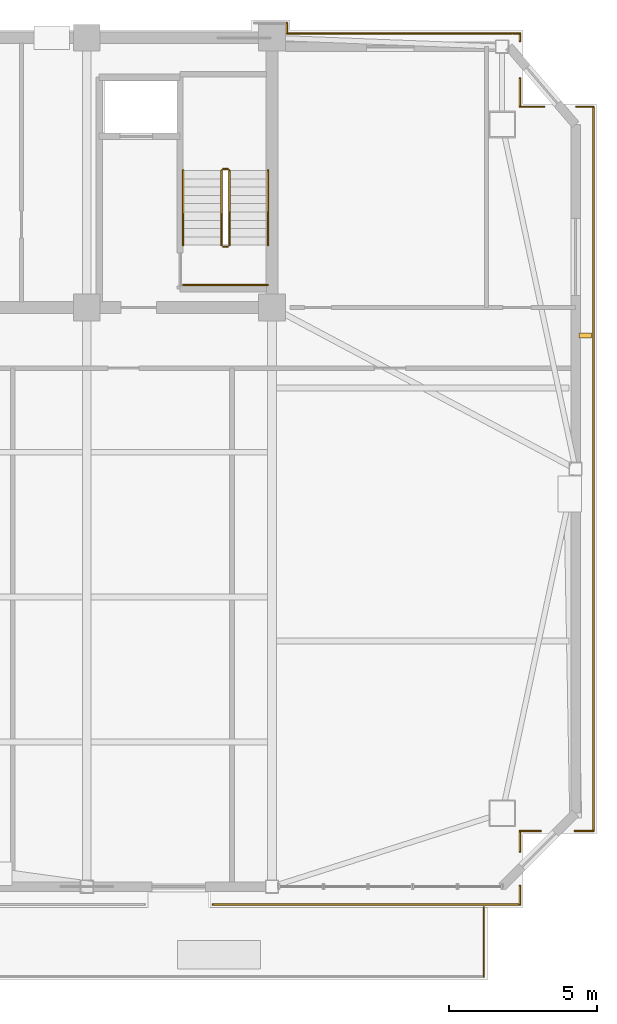
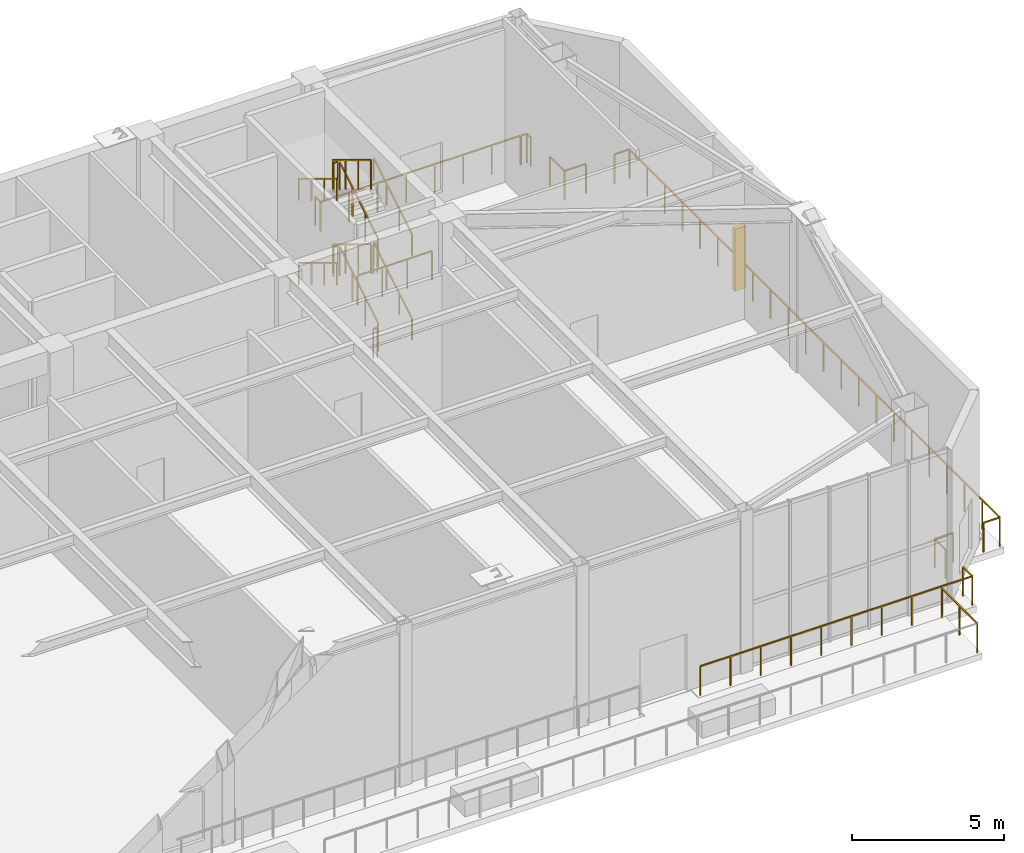
# One storey, part 14 of 15: 27 railings, 1 shading device.
"""IFC4 building model written with IfcOpenShell, lengths in metres."""

from ifc_helpers import new_model, si_unit, direction, frame, origin, origin_2d, place, context, subcontext, project, spatial, rectangle, extrude, source, transform, mapped, material, type_object, element, save


model = new_model("IFC4")

# Units and contexts
model_context = context("Model", 3, precision=1e-05, world=origin(), true_north=direction((0.0, 1.0)))
body_context = subcontext(model_context, "Body", "Model", "MODEL_VIEW")
ifc_project = project(units=[si_unit("LENGTHUNIT", "METRE"), si_unit("AREAUNIT", "SQUARE_METRE"), si_unit("VOLUMEUNIT", "CUBIC_METRE"), si_unit("PLANEANGLEUNIT", "RADIAN"), si_unit("MASSUNIT", "GRAM", prefix="KILO")], contexts=[model_context])

# Site, building, storey
site_placement = place(None, origin())
site = spatial("IfcSite", under=ifc_project, at=site_placement, CompositionType="ELEMENT")
building_placement = place(site_placement, origin())
building = spatial("IfcBuilding", under=site, at=building_placement, Name="Giltprow Tower", CompositionType="ELEMENT")
storey_placement = place(building_placement, frame((0.0, 0.0, 279.10009765625)))
storey = spatial("IfcBuildingStorey", under=building, at=storey_placement, Name="L72", CompositionType="ELEMENT", Elevation=279.10009765625)

# Railings
ifc_material = material(Name="Anodized bronze", Category="metal")
railing_type_1 = type_object("IfcRailingType", Name="RAIL-BALC-GUARD-1200", PredefinedType="BALUSTRADE", material=ifc_material)
railing_1_placement = place(storey_placement, frame((61.39111328125, 44.221923828125, 0.0)))
element("IfcRailing", 1, at=railing_1_placement, inside=storey, type_object=railing_type_1, Name="L72 Corner Apron Edge Balustrade 1", PredefinedType="BALUSTRADE", context=body_context, shape_type="SweptSolid", body=[
    extrude(rectangle(XDim=0.048095703125, YDim=0.048095703125, at=origin_2d()), frame((0.0, 0.0, 1.17578125), z_axis=(0.0, -1.0, 0.0), x_axis=(1.0, 0.0, 0.0)), (0.0, 0.0, 1.0), 24.43701171875),
    extrude(rectangle(XDim=0.0419921875, YDim=0.0419921875, at=origin_2d()), origin(), (0.0, 0.0, 1.0), 1.15185546875),
    extrude(rectangle(XDim=0.0419921875, YDim=0.0419921875, at=origin_2d()), frame((0.0, -1.16357421875, 0.0)), (0.0, 0.0, 1.0), 1.15185546875),
    extrude(rectangle(XDim=0.0419921875, YDim=0.0419921875, at=origin_2d()), frame((0.0, -2.327392578125, 0.0)), (0.0, 0.0, 1.0), 1.15185546875),
    extrude(rectangle(XDim=0.0419921875, YDim=0.0419921875, at=origin_2d()), frame((0.0, -3.490966796875, 0.0)), (0.0, 0.0, 1.0), 1.15185546875),
    extrude(rectangle(XDim=0.0419921875, YDim=0.0419921875, at=origin_2d()), frame((0.0, -4.65478515625, 0.0)), (0.0, 0.0, 1.0), 1.15185546875),
    extrude(rectangle(XDim=0.0419921875, YDim=0.0419921875, at=origin_2d()), frame((0.0, -5.818359375, 0.0)), (0.0, 0.0, 1.0), 1.15185546875),
    extrude(rectangle(XDim=0.0419921875, YDim=0.0419921875, at=origin_2d()), frame((0.0, -6.98193359375, 0.0)), (0.0, 0.0, 1.0), 1.15185546875),
    extrude(rectangle(XDim=0.0419921875, YDim=0.0419921875, at=origin_2d()), frame((0.0, -8.145751953125, 0.0)), (0.0, 0.0, 1.0), 1.15185546875),
    extrude(rectangle(XDim=0.0419921875, YDim=0.0419921875, at=origin_2d()), frame((0.0, -9.309326171875, 0.0)), (0.0, 0.0, 1.0), 1.15185546875),
    extrude(rectangle(XDim=0.0419921875, YDim=0.0419921875, at=origin_2d()), frame((0.0, -10.472900390625, 0.0)), (0.0, 0.0, 1.0), 1.15185546875),
    extrude(rectangle(XDim=0.0419921875, YDim=0.0419921875, at=origin_2d()), frame((0.0, -11.63671875, 0.0)), (0.0, 0.0, 1.0), 1.15185546875),
    extrude(rectangle(XDim=0.0419921875, YDim=0.0419921875, at=origin_2d()), frame((0.0, -12.80029296875, 0.0)), (0.0, 0.0, 1.0), 1.15185546875),
    extrude(rectangle(XDim=0.0419921875, YDim=0.0419921875, at=origin_2d()), frame((0.0, -13.964111328125, 0.0)), (0.0, 0.0, 1.0), 1.15185546875),
    extrude(rectangle(XDim=0.0419921875, YDim=0.0419921875, at=origin_2d()), frame((0.0, -15.127685546875, 0.0)), (0.0, 0.0, 1.0), 1.15185546875),
    extrude(rectangle(XDim=0.0419921875, YDim=0.0419921875, at=origin_2d()), frame((0.0, -16.291259765625, 0.0)), (0.0, 0.0, 1.0), 1.15185546875),
    extrude(rectangle(XDim=0.0419921875, YDim=0.0419921875, at=origin_2d()), frame((0.0, -17.455078125, 0.0)), (0.0, 0.0, 1.0), 1.15185546875),
    extrude(rectangle(XDim=0.0419921875, YDim=0.0419921875, at=origin_2d()), frame((0.0, -18.61865234375, 0.0)), (0.0, 0.0, 1.0), 1.15185546875),
    extrude(rectangle(XDim=0.0419921875, YDim=0.0419921875, at=origin_2d()), frame((0.0, -19.7822265625, 0.0)), (0.0, 0.0, 1.0), 1.15185546875),
    extrude(rectangle(XDim=0.0419921875, YDim=0.0419921875, at=origin_2d()), frame((0.0, -20.946044921875, 0.0)), (0.0, 0.0, 1.0), 1.15185546875),
    extrude(rectangle(XDim=0.0419921875, YDim=0.0419921875, at=origin_2d()), frame((0.0, -22.109619140625, 0.0)), (0.0, 0.0, 1.0), 1.15185546875),
    extrude(rectangle(XDim=0.0419921875, YDim=0.0419921875, at=origin_2d()), frame((0.0, -23.2734375, 0.0)), (0.0, 0.0, 1.0), 1.15185546875),
    extrude(rectangle(XDim=0.0419921875, YDim=0.0419921875, at=origin_2d()), frame((0.0, -24.43701171875, 0.0)), (0.0, 0.0, 1.0), 1.15185546875),
])
railing_2_placement = place(storey_placement, frame((61.39111328125, 19.784912109375, 0.0)))
element("IfcRailing", 2, at=railing_2_placement, inside=storey, type_object=railing_type_1, Name="L72 Corner Apron Edge Balustrade 2", PredefinedType="BALUSTRADE", context=body_context, shape_type="SweptSolid", body=[
    extrude(rectangle(XDim=0.048095703125, YDim=0.048095703125, at=origin_2d()), frame((0.0, 0.0, 1.17578125), z_axis=(-1.0, 0.0, 0.0), x_axis=(0.0, -1.0, 0.0)), (0.0, 0.0, 1.0), 0.6201171875),
    extrude(rectangle(XDim=0.0419921875, YDim=0.0419921875, at=origin_2d()), origin(), (0.0, 0.0, 1.0), 1.15185546875),
    extrude(rectangle(XDim=0.0419921875, YDim=0.0419921875, at=origin_2d()), frame((-0.6201171875, 0.0, 0.0)), (0.0, 0.0, 1.0), 1.15185546875),
])
railing_3_placement = place(storey_placement, frame((59.611083984375, 19.784912109375, 0.0)))
element("IfcRailing", 3, at=railing_3_placement, inside=storey, type_object=railing_type_1, Name="L72 Corner Apron Edge Balustrade 3", PredefinedType="BALUSTRADE", context=body_context, shape_type="SweptSolid", body=[
    extrude(rectangle(XDim=0.048095703125, YDim=0.048095703125, at=origin_2d()), frame((0.0, 0.0, 1.17578125), z_axis=(-1.0, 0.0, 0.0), x_axis=(0.0, -1.0, 0.0)), (0.0, 0.0, 1.0), 0.697021484375),
    extrude(rectangle(XDim=0.0419921875, YDim=0.0419921875, at=origin_2d()), origin(), (0.0, 0.0, 1.0), 1.15185546875),
    extrude(rectangle(XDim=0.0419921875, YDim=0.0419921875, at=origin_2d()), frame((-0.697021484375, 0.0, 0.0)), (0.0, 0.0, 1.0), 1.15185546875),
])
railing_4_placement = place(storey_placement, frame((58.9140625, 19.784912109375, 0.0)))
element("IfcRailing", 4, at=railing_4_placement, inside=storey, type_object=railing_type_1, Name="L72 Corner Apron Edge Balustrade 4", PredefinedType="BALUSTRADE", context=body_context, shape_type="SweptSolid", body=[
    extrude(rectangle(XDim=0.048095703125, YDim=0.048095703125, at=origin_2d()), frame((0.0, 0.0, 1.17578125), z_axis=(0.0, -1.0, 0.0), x_axis=(1.0, 0.0, 0.0)), (0.0, 0.0, 1.0), 0.697021484375),
    extrude(rectangle(XDim=0.0419921875, YDim=0.0419921875, at=origin_2d()), origin(), (0.0, 0.0, 1.0), 1.15185546875),
    extrude(rectangle(XDim=0.0419921875, YDim=0.0419921875, at=origin_2d()), frame((0.0, -0.697021484375, 0.0)), (0.0, 0.0, 1.0), 1.15185546875),
])
railing_5_placement = place(storey_placement, frame((58.9140625, 17.927978515625, 0.0)))
element("IfcRailing", 5, at=railing_5_placement, inside=storey, type_object=railing_type_1, Name="L72 Corner Apron Edge Balustrade 5", PredefinedType="BALUSTRADE", context=body_context, shape_type="SweptSolid", body=[
    extrude(rectangle(XDim=0.048095703125, YDim=0.048095703125, at=origin_2d()), frame((0.0, 0.0, 1.17578125), z_axis=(0.0, -1.0, 0.0), x_axis=(1.0, 0.0, 0.0)), (0.0, 0.0, 1.0), 0.619873046875),
    extrude(rectangle(XDim=0.0419921875, YDim=0.0419921875, at=origin_2d()), origin(), (0.0, 0.0, 1.0), 1.15185546875),
    extrude(rectangle(XDim=0.0419921875, YDim=0.0419921875, at=origin_2d()), frame((0.0, -0.619873046875, 0.0)), (0.0, 0.0, 1.0), 1.15185546875),
])
railing_6_placement = place(storey_placement, frame((58.9140625, 17.30810546875, 0.0)))
element("IfcRailing", 6, at=railing_6_placement, inside=storey, type_object=railing_type_1, Name="L72 Corner Apron Edge Balustrade 6", PredefinedType="BALUSTRADE", context=body_context, shape_type="SweptSolid", body=[
    extrude(rectangle(XDim=0.048095703125, YDim=0.048095703125, at=origin_2d()), frame((0.0, 0.0, 1.17578125), z_axis=(-1.0, 0.0, 0.0), x_axis=(0.0, -1.0, 0.0)), (0.0, 0.0, 1.0), 10.364013671875),
    extrude(rectangle(XDim=0.0419921875, YDim=0.0419921875, at=origin_2d()), origin(), (0.0, 0.0, 1.0), 1.15185546875),
    extrude(rectangle(XDim=0.0419921875, YDim=0.0419921875, at=origin_2d()), frame((-1.151611328125, 0.0, 0.0)), (0.0, 0.0, 1.0), 1.15185546875),
    extrude(rectangle(XDim=0.0419921875, YDim=0.0419921875, at=origin_2d()), frame((-2.30322265625, 0.0, 0.0)), (0.0, 0.0, 1.0), 1.15185546875),
    extrude(rectangle(XDim=0.0419921875, YDim=0.0419921875, at=origin_2d()), frame((-3.45458984375, 0.0, 0.0)), (0.0, 0.0, 1.0), 1.15185546875),
    extrude(rectangle(XDim=0.0419921875, YDim=0.0419921875, at=origin_2d()), frame((-4.606201171875, 0.0, 0.0)), (0.0, 0.0, 1.0), 1.15185546875),
    extrude(rectangle(XDim=0.0419921875, YDim=0.0419921875, at=origin_2d()), frame((-5.7578125, 0.0, 0.0)), (0.0, 0.0, 1.0), 1.15185546875),
    extrude(rectangle(XDim=0.0419921875, YDim=0.0419921875, at=origin_2d()), frame((-6.909423828125, 0.0, 0.0)), (0.0, 0.0, 1.0), 1.15185546875),
    extrude(rectangle(XDim=0.0419921875, YDim=0.0419921875, at=origin_2d()), frame((-8.060791015625, 0.0, 0.0)), (0.0, 0.0, 1.0), 1.15185546875),
    extrude(rectangle(XDim=0.0419921875, YDim=0.0419921875, at=origin_2d()), frame((-9.21240234375, 0.0, 0.0)), (0.0, 0.0, 1.0), 1.15185546875),
    extrude(rectangle(XDim=0.0419921875, YDim=0.0419921875, at=origin_2d()), frame((-10.364013671875, 0.0, 0.0)), (0.0, 0.0, 1.0), 1.15185546875),
])
railing_7_placement = place(storey_placement, frame((51.050048828125, 47.050048828125, 0.0)))
element("IfcRailing", 7, at=railing_7_placement, inside=storey, type_object=railing_type_1, Name="L72 Corner Apron Edge Balustrade 23", PredefinedType="BALUSTRADE", context=body_context, shape_type="SweptSolid", body=[
    extrude(rectangle(XDim=0.048095703125, YDim=0.048095703125, at=origin_2d()), frame((0.0, 0.0, 1.17578125), z_axis=(0.0, -1.0, 0.0), x_axis=(1.0, 0.0, 0.0)), (0.0, 0.0, 1.0), 0.35107421875),
    extrude(rectangle(XDim=0.0419921875, YDim=0.0419921875, at=origin_2d()), origin(), (0.0, 0.0, 1.0), 1.15185546875),
    extrude(rectangle(XDim=0.0419921875, YDim=0.0419921875, at=origin_2d()), frame((0.0, -0.35107421875, 0.0)), (0.0, 0.0, 1.0), 1.15185546875),
])
railing_8_placement = place(storey_placement, frame((51.050048828125, 46.698974609375, 0.0)))
element("IfcRailing", 8, at=railing_8_placement, inside=storey, type_object=railing_type_1, Name="L72 Corner Apron Edge Balustrade 24", PredefinedType="BALUSTRADE", context=body_context, shape_type="SweptSolid", body=[
    extrude(rectangle(XDim=0.048095703125, YDim=0.048095703125, at=origin_2d()), frame((0.0, 0.0, 1.17578125), z_axis=(1.0, 0.0, 0.0), x_axis=(0.0, 1.0, 0.0)), (0.0, 0.0, 1.0), 7.613037109375),
    extrude(rectangle(XDim=0.0419921875, YDim=0.0419921875, at=origin_2d()), origin(), (0.0, 0.0, 1.0), 1.15185546875),
    extrude(rectangle(XDim=0.0419921875, YDim=0.0419921875, at=origin_2d()), frame((1.087646484375, 0.0, 0.0)), (0.0, 0.0, 1.0), 1.15185546875),
    extrude(rectangle(XDim=0.0419921875, YDim=0.0419921875, at=origin_2d()), frame((2.175048828125, 0.0, 0.0)), (0.0, 0.0, 1.0), 1.15185546875),
    extrude(rectangle(XDim=0.0419921875, YDim=0.0419921875, at=origin_2d()), frame((3.2626953125, 0.0, 0.0)), (0.0, 0.0, 1.0), 1.15185546875),
    extrude(rectangle(XDim=0.0419921875, YDim=0.0419921875, at=origin_2d()), frame((4.350341796875, 0.0, 0.0)), (0.0, 0.0, 1.0), 1.15185546875),
    extrude(rectangle(XDim=0.0419921875, YDim=0.0419921875, at=origin_2d()), frame((5.43798828125, 0.0, 0.0)), (0.0, 0.0, 1.0), 1.15185546875),
    extrude(rectangle(XDim=0.0419921875, YDim=0.0419921875, at=origin_2d()), frame((6.525390625, 0.0, 0.0)), (0.0, 0.0, 1.0), 1.15185546875),
    extrude(rectangle(XDim=0.0419921875, YDim=0.0419921875, at=origin_2d()), frame((7.613037109375, 0.0, 0.0)), (0.0, 0.0, 1.0), 1.15185546875),
])
railing_9_placement = place(storey_placement, frame((58.694091796875, 46.698974609375, 0.0)))
element("IfcRailing", 9, at=railing_9_placement, inside=storey, type_object=railing_type_1, Name="L72 Corner Apron Edge Balustrade 25", PredefinedType="BALUSTRADE", context=body_context, shape_type="SweptSolid", body=[
    extrude(rectangle(XDim=0.048095703125, YDim=0.048095703125, at=origin_2d()), frame((0.0, 0.0, 1.17578125), z_axis=(1.0, 0.0, 0.0), x_axis=(0.0, 1.0, 0.0)), (0.0, 0.0, 1.0), 0.219970703125),
    extrude(rectangle(XDim=0.0419921875, YDim=0.0419921875, at=origin_2d()), origin(), (0.0, 0.0, 1.0), 1.15185546875),
    extrude(rectangle(XDim=0.0419921875, YDim=0.0419921875, at=origin_2d()), frame((0.219970703125, 0.0, 0.0)), (0.0, 0.0, 1.0), 1.15185546875),
])
railing_10_placement = place(storey_placement, frame((58.9140625, 46.698974609375, 0.0)))
element("IfcRailing", 10, at=railing_10_placement, inside=storey, type_object=railing_type_1, Name="L72 Corner Apron Edge Balustrade 26", PredefinedType="BALUSTRADE", context=body_context, shape_type="SweptSolid", body=[
    extrude(rectangle(XDim=0.048095703125, YDim=0.048095703125, at=origin_2d()), frame((0.0, 0.0, 1.17578125), z_axis=(0.0, -1.0, 0.0), x_axis=(1.0, 0.0, 0.0)), (0.0, 0.0, 1.0), 0.257080078125),
    extrude(rectangle(XDim=0.0419921875, YDim=0.0419921875, at=origin_2d()), origin(), (0.0, 0.0, 1.0), 1.15185546875),
    extrude(rectangle(XDim=0.0419921875, YDim=0.0419921875, at=origin_2d()), frame((0.0, -0.257080078125, 0.0)), (0.0, 0.0, 1.0), 1.15185546875),
])
railing_11_placement = place(storey_placement, frame((58.9140625, 45.181884765625, 0.0)))
element("IfcRailing", 11, at=railing_11_placement, inside=storey, type_object=railing_type_1, Name="L72 Corner Apron Edge Balustrade 27", PredefinedType="BALUSTRADE", context=body_context, shape_type="SweptSolid", body=[
    extrude(rectangle(XDim=0.048095703125, YDim=0.048095703125, at=origin_2d()), frame((0.0, 0.0, 1.17578125), z_axis=(0.0, -1.0, 0.0), x_axis=(1.0, 0.0, 0.0)), (0.0, 0.0, 1.0), 0.9599609375),
    extrude(rectangle(XDim=0.0419921875, YDim=0.0419921875, at=origin_2d()), origin(), (0.0, 0.0, 1.0), 1.15185546875),
    extrude(rectangle(XDim=0.0419921875, YDim=0.0419921875, at=origin_2d()), frame((0.0, -0.9599609375, 0.0)), (0.0, 0.0, 1.0), 1.15185546875),
])
railing_12_placement = place(storey_placement, frame((58.9140625, 44.221923828125, 0.0)))
element("IfcRailing", 12, at=railing_12_placement, inside=storey, type_object=railing_type_1, Name="L72 Corner Apron Edge Balustrade 28", PredefinedType="BALUSTRADE", context=body_context, shape_type="SweptSolid", body=[
    extrude(rectangle(XDim=0.048095703125, YDim=0.048095703125, at=origin_2d()), frame((0.0, 0.0, 1.17578125), z_axis=(1.0, 0.0, 0.0), x_axis=(0.0, 1.0, 0.0)), (0.0, 0.0, 1.0), 0.822998046875),
    extrude(rectangle(XDim=0.0419921875, YDim=0.0419921875, at=origin_2d()), origin(), (0.0, 0.0, 1.0), 1.15185546875),
    extrude(rectangle(XDim=0.0419921875, YDim=0.0419921875, at=origin_2d()), frame((0.822998046875, 0.0, 0.0)), (0.0, 0.0, 1.0), 1.15185546875),
])
railing_13_placement = place(storey_placement, frame((60.81689453125, 44.221923828125, 0.0)))
element("IfcRailing", 13, at=railing_13_placement, inside=storey, type_object=railing_type_1, Name="L72 Corner Apron Edge Balustrade 29", PredefinedType="BALUSTRADE", context=body_context, shape_type="SweptSolid", body=[
    extrude(rectangle(XDim=0.048095703125, YDim=0.048095703125, at=origin_2d()), frame((0.0, 0.0, 1.17578125), z_axis=(1.0, 0.0, 0.0), x_axis=(0.0, 1.0, 0.0)), (0.0, 0.0, 1.0), 0.57421875),
    extrude(rectangle(XDim=0.0419921875, YDim=0.0419921875, at=origin_2d()), origin(), (0.0, 0.0, 1.0), 1.15185546875),
    extrude(rectangle(XDim=0.0419921875, YDim=0.0419921875, at=origin_2d()), frame((0.57421875, 0.0, 0.0)), (0.0, 0.0, 1.0), 1.15185546875),
])
railing_type_2 = type_object("IfcRailingType", Name="RAIL-STAIR-GUARD-1200", PredefinedType="GUARDRAIL", material=ifc_material)
railing_14_placement = place(storey_placement, frame((49.110107421875, 39.550048828125, 0.169921875)))
element("IfcRailing", 14, at=railing_14_placement, inside=storey, type_object=railing_type_2, Name="L72 ST-3 stair guard 1", PredefinedType="GUARDRAIL", context=body_context, shape_type="SweptSolid", body=[
    extrude(rectangle(XDim=0.048095703125, YDim=0.048095703125, at=origin_2d()), frame((0.0, 0.0, 1.17578125), z_axis=(0.0, 0.85478489116, 0.518982456201), x_axis=(-1.0, 0.0, 0.0)), (0.0, 0.0, 1.0), 2.9482421875),
    extrude(rectangle(XDim=0.0419921875, YDim=0.0419921875, at=origin_2d()), origin(), (0.0, 0.0, 1.0), 1.15185546875),
    extrude(rectangle(XDim=0.0419921875, YDim=0.0419921875, at=origin_2d()), frame((0.0, 0.840087890625, 0.510009765625)), (0.0, 0.0, 1.0), 1.15185546875),
    extrude(rectangle(XDim=0.0419921875, YDim=0.0419921875, at=origin_2d()), frame((0.0, 1.679931640625, 1.02001953125)), (0.0, 0.0, 1.0), 1.15185546875),
    extrude(rectangle(XDim=0.0419921875, YDim=0.0419921875, at=origin_2d()), frame((0.0, 2.52001953125, 1.530029296875)), (0.0, 0.0, 1.0), 1.15185546875),
])
railing_15_placement = place(storey_placement, frame((49.06005859375, 42.1201171875, 1.699951171875)))
element("IfcRailing", 15, at=railing_15_placement, inside=storey, type_object=railing_type_2, Name="L72 ST-3 stair guard 2", PredefinedType="GUARDRAIL", context=body_context, shape_type="SweptSolid", body=[
    extrude(rectangle(XDim=0.048095703125, YDim=0.048095703125, at=origin_2d()), frame((0.0, 0.0, 1.17578125), z_axis=(-1.0, 0.0, 0.0), x_axis=(0.0, -1.0, 0.0)), (0.0, 0.0, 1.0), 0.16015625),
    extrude(rectangle(XDim=0.0419921875, YDim=0.0419921875, at=origin_2d()), origin(), (0.0, 0.0, 1.0), 1.15185546875),
    extrude(rectangle(XDim=0.0419921875, YDim=0.0419921875, at=origin_2d()), frame((-0.16015625, 0.0, 0.0)), (0.0, 0.0, 1.0), 1.15185546875),
])
railing_16_placement = place(storey_placement, frame((48.85009765625, 42.070068359375, 1.869873046875)))
element("IfcRailing", 16, at=railing_16_placement, inside=storey, type_object=railing_type_2, Name="L72 ST-3 stair guard 3", PredefinedType="GUARDRAIL", context=body_context, shape_type="SweptSolid", body=[
    extrude(rectangle(XDim=0.048095703125, YDim=0.048095703125, at=origin_2d()), frame((0.0, 0.0, 1.17578125), z_axis=(0.0, -0.85478489116, 0.518982456201), x_axis=(1.0, 0.0, 0.0)), (0.0, 0.0, 1.0), 2.9482421875),
    extrude(rectangle(XDim=0.0419921875, YDim=0.0419921875, at=origin_2d()), origin(), (0.0, 0.0, 1.0), 1.15185546875),
    extrude(rectangle(XDim=0.0419921875, YDim=0.0419921875, at=origin_2d()), frame((0.0, -0.840087890625, 0.510009765625)), (0.0, 0.0, 1.0), 1.15185546875),
    extrude(rectangle(XDim=0.0419921875, YDim=0.0419921875, at=origin_2d()), frame((0.0, -1.679931640625, 1.02001953125)), (0.0, 0.0, 1.0), 1.15185546875),
    extrude(rectangle(XDim=0.0419921875, YDim=0.0419921875, at=origin_2d()), frame((0.0, -2.52001953125, 1.530029296875)), (0.0, 0.0, 1.0), 1.15185546875),
])
railing_17_placement = place(storey_placement, frame((49.06005859375, 39.5, 3.39990234375)))
element("IfcRailing", 17, at=railing_17_placement, inside=storey, type_object=railing_type_2, Name="L72 ST-3 stair guard 4", PredefinedType="GUARDRAIL", context=body_context, shape_type="SweptSolid", body=[
    extrude(rectangle(XDim=0.048095703125, YDim=0.048095703125, at=origin_2d()), frame((0.0, 0.0, 1.17578125), z_axis=(-1.0, 0.0, 0.0), x_axis=(0.0, -1.0, 0.0)), (0.0, 0.0, 1.0), 0.16015625),
    extrude(rectangle(XDim=0.0419921875, YDim=0.0419921875, at=origin_2d()), origin(), (0.0, 0.0, 1.0), 1.15185546875),
    extrude(rectangle(XDim=0.0419921875, YDim=0.0419921875, at=origin_2d()), frame((-0.16015625, 0.0, 0.0)), (0.0, 0.0, 1.0), 1.15185546875),
])
railing_18_placement = place(storey_placement, frame((49.110107421875, 39.550048828125, 3.56982421875)))
element("IfcRailing", 18, at=railing_18_placement, inside=storey, type_object=railing_type_2, Name="L72 ST-3 stair guard 5", PredefinedType="GUARDRAIL", context=body_context, shape_type="SweptSolid", body=[
    extrude(rectangle(XDim=0.048095703125, YDim=0.048095703125, at=origin_2d()), frame((0.0, 0.0, 1.17578125), z_axis=(0.0, 0.85478489116, 0.518982456201), x_axis=(-1.0, 0.0, 0.0)), (0.0, 0.0, 1.0), 2.9482421875),
    extrude(rectangle(XDim=0.0419921875, YDim=0.0419921875, at=origin_2d()), origin(), (0.0, 0.0, 1.0), 1.15185546875),
    extrude(rectangle(XDim=0.0419921875, YDim=0.0419921875, at=origin_2d()), frame((0.0, 0.840087890625, 0.510009765625)), (0.0, 0.0, 1.0), 1.15185546875),
    extrude(rectangle(XDim=0.0419921875, YDim=0.0419921875, at=origin_2d()), frame((0.0, 1.679931640625, 1.02001953125)), (0.0, 0.0, 1.0), 1.15185546875),
    extrude(rectangle(XDim=0.0419921875, YDim=0.0419921875, at=origin_2d()), frame((0.0, 2.52001953125, 1.530029296875)), (0.0, 0.0, 1.0), 1.15185546875),
])
railing_19_placement = place(storey_placement, frame((49.06005859375, 42.1201171875, 5.099853515625)))
element("IfcRailing", 19, at=railing_19_placement, inside=storey, type_object=railing_type_2, Name="L72 ST-3 stair guard 6", PredefinedType="GUARDRAIL", context=body_context, shape_type="SweptSolid", body=[
    extrude(rectangle(XDim=0.048095703125, YDim=0.048095703125, at=origin_2d()), frame((0.0, 0.0, 1.17578125), z_axis=(-1.0, 0.0, 0.0), x_axis=(0.0, -1.0, 0.0)), (0.0, 0.0, 1.0), 0.16015625),
    extrude(rectangle(XDim=0.0419921875, YDim=0.0419921875, at=origin_2d()), origin(), (0.0, 0.0, 1.0), 1.15185546875),
    extrude(rectangle(XDim=0.0419921875, YDim=0.0419921875, at=origin_2d()), frame((-0.16015625, 0.0, 0.0)), (0.0, 0.0, 1.0), 1.15185546875),
])
railing_20_placement = place(storey_placement, frame((48.85009765625, 42.070068359375, 5.27001953125)))
element("IfcRailing", 20, at=railing_20_placement, inside=storey, type_object=railing_type_2, Name="L72 ST-3 stair guard 7", PredefinedType="GUARDRAIL", context=body_context, shape_type="SweptSolid", body=[
    extrude(rectangle(XDim=0.048095703125, YDim=0.048095703125, at=origin_2d()), frame((0.0, 0.0, 1.17578125), z_axis=(0.0, -0.854821627497, 0.518921945155), x_axis=(1.0, 0.0, 0.0)), (0.0, 0.0, 1.0), 2.947998046875),
    extrude(rectangle(XDim=0.0419921875, YDim=0.0419921875, at=origin_2d()), origin(), (0.0, 0.0, 1.0), 1.15185546875),
    extrude(rectangle(XDim=0.0419921875, YDim=0.0419921875, at=origin_2d()), frame((0.0, -0.840087890625, 0.510009765625)), (0.0, 0.0, 1.0), 1.15185546875),
    extrude(rectangle(XDim=0.0419921875, YDim=0.0419921875, at=origin_2d()), frame((0.0, -1.679931640625, 1.019775390625)), (0.0, 0.0, 1.0), 1.15185546875),
    extrude(rectangle(XDim=0.0419921875, YDim=0.0419921875, at=origin_2d()), frame((0.0, -2.52001953125, 1.52978515625)), (0.0, 0.0, 1.0), 1.15185546875),
])
railing_21_placement = place(storey_placement, frame((49.06005859375, 39.5, 0.0)))
element("IfcRailing", 21, at=railing_21_placement, inside=storey, type_object=railing_type_2, Name="L72 ST-3 stair guard 8", PredefinedType="GUARDRAIL", context=body_context, shape_type="SweptSolid", body=[
    extrude(rectangle(XDim=0.048095703125, YDim=0.048095703125, at=origin_2d()), frame((0.0, 0.0, 1.17578125), z_axis=(-1.0, 0.0, 0.0), x_axis=(0.0, -1.0, 0.0)), (0.0, 0.0, 1.0), 0.16015625),
    extrude(rectangle(XDim=0.0419921875, YDim=0.0419921875, at=origin_2d()), origin(), (0.0, 0.0, 1.0), 1.15185546875),
    extrude(rectangle(XDim=0.0419921875, YDim=0.0419921875, at=origin_2d()), frame((-0.16015625, 0.0, 0.0)), (0.0, 0.0, 1.0), 1.15185546875),
])
railing_22_placement = place(storey_placement, frame((47.56005859375, 38.2099609375, 3.39990234375)))
element("IfcRailing", 22, at=railing_22_placement, inside=storey, type_object=railing_type_2, Name="L72 ST-3 Mid-Landing Guard 2", PredefinedType="GUARDRAIL", context=body_context, shape_type="SweptSolid", body=[
    extrude(rectangle(XDim=0.048095703125, YDim=0.048095703125, at=origin_2d()), frame((0.0, 0.0, 1.17578125), z_axis=(1.0, 0.0, 0.0), x_axis=(0.0, 1.0, 0.0)), (0.0, 0.0, 1.0), 2.83984375),
    extrude(rectangle(XDim=0.0419921875, YDim=0.0419921875, at=origin_2d()), origin(), (0.0, 0.0, 1.0), 1.15185546875),
    extrude(rectangle(XDim=0.0419921875, YDim=0.0419921875, at=origin_2d()), frame((0.946533203125, 0.0, 0.0)), (0.0, 0.0, 1.0), 1.15185546875),
    extrude(rectangle(XDim=0.0419921875, YDim=0.0419921875, at=origin_2d()), frame((1.893310546875, 0.0, 0.0)), (0.0, 0.0, 1.0), 1.15185546875),
    extrude(rectangle(XDim=0.0419921875, YDim=0.0419921875, at=origin_2d()), frame((2.83984375, 0.0, 0.0)), (0.0, 0.0, 1.0), 1.15185546875),
])
railing_type_3 = type_object("IfcRailingType", Name="RAIL-STAIR-HAND-900", PredefinedType="HANDRAIL", material=ifc_material)
railing_23_placement = place(storey_placement, frame((50.409912109375, 39.550048828125, 0.169921875)))
element("IfcRailing", 23, at=railing_23_placement, inside=storey, type_object=railing_type_3, Name="L72 ST-3 stair handrail 1", PredefinedType="HANDRAIL", context=body_context, shape_type="SweptSolid", body=[
    extrude(rectangle(XDim=0.048095703125, YDim=0.048095703125, at=origin_2d()), frame((0.0, 0.0, 0.8759765625), z_axis=(0.0, 0.85478489116, 0.518982456201), x_axis=(-1.0, 0.0, 0.0)), (0.0, 0.0, 1.0), 2.9482421875),
    extrude(rectangle(XDim=0.0419921875, YDim=0.0419921875, at=origin_2d()), origin(), (0.0, 0.0, 1.0), 0.851806640625),
    extrude(rectangle(XDim=0.0419921875, YDim=0.0419921875, at=origin_2d()), frame((0.0, 0.840087890625, 0.510009765625)), (0.0, 0.0, 1.0), 0.851806640625),
    extrude(rectangle(XDim=0.0419921875, YDim=0.0419921875, at=origin_2d()), frame((0.0, 1.679931640625, 1.02001953125)), (0.0, 0.0, 1.0), 0.851806640625),
    extrude(rectangle(XDim=0.0419921875, YDim=0.0419921875, at=origin_2d()), frame((0.0, 2.52001953125, 1.530029296875)), (0.0, 0.0, 1.0), 0.851806640625),
])
railing_24_placement = place(storey_placement, frame((47.550048828125, 42.070068359375, 1.869873046875)))
element("IfcRailing", 24, at=railing_24_placement, inside=storey, type_object=railing_type_3, Name="L72 ST-3 stair handrail 2", PredefinedType="HANDRAIL", context=body_context, shape_type="SweptSolid", body=[
    extrude(rectangle(XDim=0.048095703125, YDim=0.048095703125, at=origin_2d()), frame((0.0, 0.0, 0.8759765625), z_axis=(0.0, -0.85478489116, 0.518982456201), x_axis=(1.0, 0.0, 0.0)), (0.0, 0.0, 1.0), 2.9482421875),
    extrude(rectangle(XDim=0.0419921875, YDim=0.0419921875, at=origin_2d()), origin(), (0.0, 0.0, 1.0), 0.851806640625),
    extrude(rectangle(XDim=0.0419921875, YDim=0.0419921875, at=origin_2d()), frame((0.0, -0.840087890625, 0.510009765625)), (0.0, 0.0, 1.0), 0.851806640625),
    extrude(rectangle(XDim=0.0419921875, YDim=0.0419921875, at=origin_2d()), frame((0.0, -1.679931640625, 1.02001953125)), (0.0, 0.0, 1.0), 0.851806640625),
    extrude(rectangle(XDim=0.0419921875, YDim=0.0419921875, at=origin_2d()), frame((0.0, -2.52001953125, 1.530029296875)), (0.0, 0.0, 1.0), 0.851806640625),
])
railing_25_placement = place(storey_placement, frame((50.409912109375, 39.550048828125, 3.56982421875)))
element("IfcRailing", 25, at=railing_25_placement, inside=storey, type_object=railing_type_3, Name="L72 ST-3 stair handrail 3", PredefinedType="HANDRAIL", context=body_context, shape_type="SweptSolid", body=[
    extrude(rectangle(XDim=0.048095703125, YDim=0.048095703125, at=origin_2d()), frame((0.0, 0.0, 0.8759765625), z_axis=(0.0, 0.85478489116, 0.518982456201), x_axis=(-1.0, 0.0, 0.0)), (0.0, 0.0, 1.0), 2.9482421875),
    extrude(rectangle(XDim=0.0419921875, YDim=0.0419921875, at=origin_2d()), origin(), (0.0, 0.0, 1.0), 0.851806640625),
    extrude(rectangle(XDim=0.0419921875, YDim=0.0419921875, at=origin_2d()), frame((0.0, 0.840087890625, 0.510009765625)), (0.0, 0.0, 1.0), 0.851806640625),
    extrude(rectangle(XDim=0.0419921875, YDim=0.0419921875, at=origin_2d()), frame((0.0, 1.679931640625, 1.02001953125)), (0.0, 0.0, 1.0), 0.851806640625),
    extrude(rectangle(XDim=0.0419921875, YDim=0.0419921875, at=origin_2d()), frame((0.0, 2.52001953125, 1.530029296875)), (0.0, 0.0, 1.0), 0.851806640625),
])
railing_26_placement = place(storey_placement, frame((47.550048828125, 42.070068359375, 5.27001953125)))
element("IfcRailing", 26, at=railing_26_placement, inside=storey, type_object=railing_type_3, Name="L72 ST-3 stair handrail 4", PredefinedType="HANDRAIL", context=body_context, shape_type="SweptSolid", body=[
    extrude(rectangle(XDim=0.048095703125, YDim=0.048095703125, at=origin_2d()), frame((0.0, 0.0, 0.8759765625), z_axis=(0.0, -0.854821627497, 0.518921945155), x_axis=(1.0, 0.0, 0.0)), (0.0, 0.0, 1.0), 2.947998046875),
    extrude(rectangle(XDim=0.0419921875, YDim=0.0419921875, at=origin_2d()), origin(), (0.0, 0.0, 1.0), 0.851806640625),
    extrude(rectangle(XDim=0.0419921875, YDim=0.0419921875, at=origin_2d()), frame((0.0, -0.840087890625, 0.510009765625)), (0.0, 0.0, 1.0), 0.851806640625),
    extrude(rectangle(XDim=0.0419921875, YDim=0.0419921875, at=origin_2d()), frame((0.0, -1.679931640625, 1.019775390625)), (0.0, 0.0, 1.0), 0.851806640625),
    extrude(rectangle(XDim=0.0419921875, YDim=0.0419921875, at=origin_2d()), frame((0.0, -2.52001953125, 1.52978515625)), (0.0, 0.0, 1.0), 0.851806640625),
])
railing_type_4 = type_object("IfcRailingType", Name="RAIL-TERR-BAL-1200", PredefinedType="BALUSTRADE", material=ifc_material)
railing_27_placement = place(storey_placement, frame((57.694091796875, 14.8779296875, 0.0)))
element("IfcRailing", 27, at=railing_27_placement, inside=storey, type_object=railing_type_4, Name="L72 Sky Garden Guardrail Seg 3", PredefinedType="BALUSTRADE", context=body_context, shape_type="SweptSolid", body=[
    extrude(rectangle(XDim=0.048095703125, YDim=0.048095703125, at=origin_2d()), frame((0.0, 0.0, 1.17578125), z_axis=(0.0, 1.0, 0.0), x_axis=(-1.0, 0.0, 0.0)), (0.0, 0.0, 1.0), 2.330078125),
    extrude(rectangle(XDim=0.0419921875, YDim=0.0419921875, at=origin_2d()), origin(), (0.0, 0.0, 1.0), 1.15185546875),
    extrude(rectangle(XDim=0.0419921875, YDim=0.0419921875, at=origin_2d()), frame((0.0, 1.1650390625, 0.0)), (0.0, 0.0, 1.0), 1.15185546875),
    extrude(rectangle(XDim=0.0419921875, YDim=0.0419921875, at=origin_2d()), frame((0.0, 2.330078125, 0.0)), (0.0, 0.0, 1.0), 1.15185546875),
])

# Shading device
shading_device_type = type_object("IfcShadingDeviceType", Name="SHD-FIN-420", PredefinedType="USERDEFINED", material=ifc_material)
shared_shape = source(origin(), body_context, "Body", "SweptSolid", [
    extrude(rectangle(XDim=0.419921875, YDim=0.159912109375, at=origin_2d()), origin(), (0.0, 0.0, 1.0), 2.5),
])
shading_device_placement = place(storey_placement, frame((61.111083984375, 36.506103515625, 0.349853515625), z_axis=(0.0, 0.0, 1.0), x_axis=(1.0, 0.0, 0.0)))
element("IfcShadingDevice", 28, at=shading_device_placement, inside=storey, type_object=shading_device_type, Name="L72 E Bronze Vertical Fin 2-1", ObjectType="FIN", PredefinedType="USERDEFINED", context=body_context, shape_type="MappedRepresentation", body=[
    mapped(shared_shape, transform((0.0, 0.0, 0.0), x_axis=(1.0, 0.0, 0.0), y_axis=(0.0, 1.0, 0.0), z_axis=(0.0, 0.0, 1.0), scale=1.0)),
])

save(model, "model.ifc")
